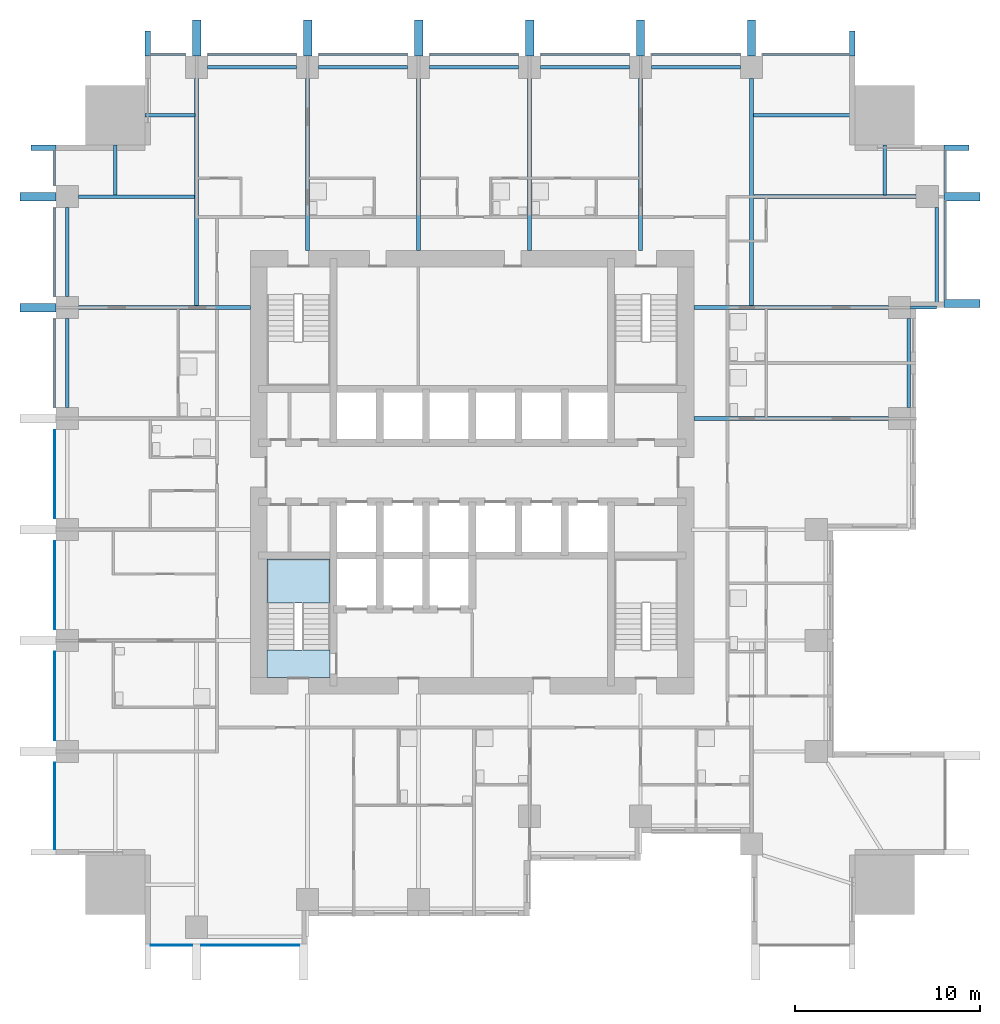
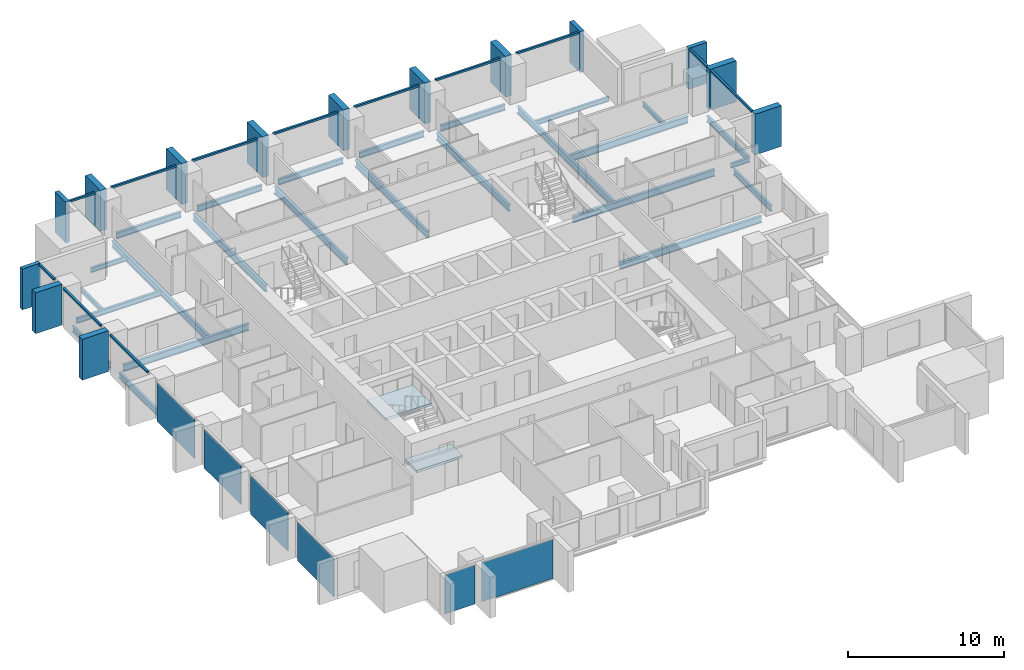
# One storey, part 2 of 10: 26 members, 25 beams, 6 plates, 2 slabs, 5 elements without a shape of their own.
"""IFC4 building model written with IfcOpenShell, lengths in metres."""

from ifc_helpers import new_model, si_unit, direction, frame, origin, origin_2d, place, context, subcontext, project, spatial, polyline, rectangle, i_section, outline, extrude, material, layer, layer_set, material_profile, profile_set, type_object, element, aggregate, save


model = new_model("IFC4")

# Units and contexts
model_context = context("Model", 3, precision=1e-05, world=origin(), true_north=direction((0.0, 1.0)))
body_context = subcontext(model_context, "Body", "Model", "MODEL_VIEW")
ifc_project = project(units=[si_unit("LENGTHUNIT", "METRE"), si_unit("AREAUNIT", "SQUARE_METRE"), si_unit("VOLUMEUNIT", "CUBIC_METRE"), si_unit("PLANEANGLEUNIT", "RADIAN"), si_unit("MASSUNIT", "GRAM", prefix="KILO")], contexts=[model_context])

# Site, building, storey
site_placement = place(None, origin())
site = spatial("IfcSite", under=ifc_project, at=site_placement, CompositionType="ELEMENT")
building_placement = place(site_placement, origin())
building = spatial("IfcBuilding", under=site, at=building_placement, Name="Amberfall Residences", CompositionType="ELEMENT")
storey_placement = place(building_placement, frame((0.0, 0.0, 66.39990234375)))
storey = spatial("IfcBuildingStorey", under=building, at=storey_placement, Name="L18", CompositionType="ELEMENT", Elevation=66.39990234375)

# Curtain wall, members
ifc_material_1 = material(Name="Bronze anodised aluminium and glass", Category="aluminium")
curtain_wall_type = type_object("IfcCurtainWallType", Name="Curtain wall CW1 tower unit", PredefinedType="USERDEFINED", material=ifc_material_1)
curtain_wall_1_placement = place(storey_placement, origin())
curtain_wall_1 = element("IfcCurtainWall", 1, at=curtain_wall_1_placement, inside=storey, type_object=curtain_wall_type, Name="Curtain wall L18 E E9", ObjectType="UNITISED CURTAIN WALL", PredefinedType="USERDEFINED")
ifc_material_2 = material(Name="Bronze anodised aluminium", Category="aluminium")
ifc_material_profile_1 = material_profile(ifc_material_2, rectangle(XDim=0.14990234375, YDim=0.14990234375, at=origin_2d()), Name="CW1 transom 150 x 150 bronze")
ifc_profile_set_1 = profile_set([ifc_material_profile_1], Name="Bronze anodised aluminium")
member_type_1 = type_object("IfcMemberType", Name="CW1 transom 150 x 150 bronze", PredefinedType="USERDEFINED", material=ifc_profile_set_1)
member_1_placement = place(storey_placement, frame((100.074951171875, 54.85009765625, 2.875), z_axis=(0.0, 1.0, 0.0), x_axis=(-1.0, 0.0, 0.0)))
member_1 = element("IfcMember", 2, at=member_1_placement, type_object=member_type_1, Name="CW1 transom 1.1", ObjectType="TRANSOM", PredefinedType="USERDEFINED", context=body_context, shape_type="SweptSolid", body=[
    extrude(rectangle(XDim=0.14990234375, YDim=0.14990234375, at=origin_2d()), origin(), (0.0, 0.0, 1.0), 5.324951171875),
])
member_2_placement = place(storey_placement, frame((100.074951171875, 60.625, 2.875), z_axis=(0.0, 1.0, 0.0), x_axis=(-1.0, 0.0, 0.0)))
member_2 = element("IfcMember", 3, at=member_2_placement, type_object=member_type_1, Name="CW1 transom 2.1", ObjectType="TRANSOM", PredefinedType="USERDEFINED", context=body_context, shape_type="SweptSolid", body=[
    extrude(rectangle(XDim=0.14990234375, YDim=0.14990234375, at=origin_2d()), origin(), (0.0, 0.0, 1.0), 2.27490234375),
])

curtain_wall_2_placement = place(storey_placement, origin())
curtain_wall_2 = element("IfcCurtainWall", 4, at=curtain_wall_2_placement, inside=storey, type_object=curtain_wall_type, Name="Curtain wall L18 N N1", ObjectType="UNITISED CURTAIN WALL", PredefinedType="USERDEFINED")
member_3_placement = place(storey_placement, frame((94.89990234375, 68.074951171875, 2.875), z_axis=(-1.0, 0.0, 0.0), x_axis=(0.0, -1.0, 0.0)))
member_3 = element("IfcMember", 5, at=member_3_placement, type_object=member_type_1, Name="CW1 transom 1.1", ObjectType="TRANSOM", PredefinedType="USERDEFINED", context=body_context, shape_type="SweptSolid", body=[
    extrude(rectangle(XDim=0.14990234375, YDim=0.14990234375, at=origin_2d()), origin(), (0.0, 0.0, 1.0), 4.69482421875),
])
member_4_placement = place(storey_placement, frame((88.9951171875, 68.074951171875, 2.875), z_axis=(-1.0, 0.0, 0.0), x_axis=(0.0, -1.0, 0.0)))
member_4 = element("IfcMember", 6, at=member_4_placement, type_object=member_type_1, Name="CW1 transom 2.1", ObjectType="TRANSOM", PredefinedType="USERDEFINED", context=body_context, shape_type="SweptSolid", body=[
    extrude(rectangle(XDim=0.14990234375, YDim=0.14990234375, at=origin_2d()), origin(), (0.0, 0.0, 1.0), 4.7900390625),
])
member_5_placement = place(storey_placement, frame((82.9951171875, 68.074951171875, 2.875), z_axis=(-1.0, 0.0, 0.0), x_axis=(0.0, -1.0, 0.0)))
member_5 = element("IfcMember", 7, at=member_5_placement, type_object=member_type_1, Name="CW1 transom 3.1", ObjectType="TRANSOM", PredefinedType="USERDEFINED", context=body_context, shape_type="SweptSolid", body=[
    extrude(rectangle(XDim=0.14990234375, YDim=0.14990234375, at=origin_2d()), origin(), (0.0, 0.0, 1.0), 4.7900390625),
])
member_6_placement = place(storey_placement, frame((76.9951171875, 68.074951171875, 2.875), z_axis=(-1.0, 0.0, 0.0), x_axis=(0.0, -1.0, 0.0)))
member_6 = element("IfcMember", 8, at=member_6_placement, type_object=member_type_1, Name="CW1 transom 4.1", ObjectType="TRANSOM", PredefinedType="USERDEFINED", context=body_context, shape_type="SweptSolid", body=[
    extrude(rectangle(XDim=0.14990234375, YDim=0.14990234375, at=origin_2d()), origin(), (0.0, 0.0, 1.0), 4.7900390625),
])
member_7_placement = place(storey_placement, frame((70.9951171875, 68.074951171875, 2.875), z_axis=(-1.0, 0.0, 0.0), x_axis=(0.0, -1.0, 0.0)))
member_7 = element("IfcMember", 9, at=member_7_placement, type_object=member_type_1, Name="CW1 transom 5.1", ObjectType="TRANSOM", PredefinedType="USERDEFINED", context=body_context, shape_type="SweptSolid", body=[
    extrude(rectangle(XDim=0.14990234375, YDim=0.14990234375, at=origin_2d()), origin(), (0.0, 0.0, 1.0), 4.7900390625),
])
member_8_placement = place(storey_placement, frame((64.9951171875, 68.074951171875, 2.875), z_axis=(-1.0, 0.0, 0.0), x_axis=(0.0, -1.0, 0.0)))
member_8 = element("IfcMember", 10, at=member_8_placement, type_object=member_type_1, Name="CW1 transom 6.1", ObjectType="TRANSOM", PredefinedType="USERDEFINED", context=body_context, shape_type="SweptSolid", body=[
    extrude(rectangle(XDim=0.14990234375, YDim=0.14990234375, at=origin_2d()), origin(), (0.0, 0.0, 1.0), 4.7900390625),
])
member_9_placement = place(storey_placement, frame((58.9951171875, 68.074951171875, 2.875), z_axis=(-1.0, 0.0, 0.0), x_axis=(0.0, -1.0, 0.0)))
member_9 = element("IfcMember", 11, at=member_9_placement, type_object=member_type_1, Name="CW1 transom 7.1", ObjectType="TRANSOM", PredefinedType="USERDEFINED", context=body_context, shape_type="SweptSolid", body=[
    extrude(rectangle(XDim=0.14990234375, YDim=0.14990234375, at=origin_2d()), origin(), (0.0, 0.0, 1.0), 1.89501953125),
])

curtain_wall_3_placement = place(storey_placement, origin())
curtain_wall_3 = element("IfcCurtainWall", 12, at=curtain_wall_3_placement, inside=storey, type_object=curtain_wall_type, Name="Curtain wall L18 W W1", ObjectType="UNITISED CURTAIN WALL", PredefinedType="USERDEFINED")
member_10_placement = place(storey_placement, frame((51.925048828125, 62.89990234375, 2.875), z_axis=(0.0, -1.0, 0.0), x_axis=(1.0, 0.0, 0.0)))
member_10 = element("IfcMember", 13, at=member_10_placement, type_object=member_type_1, Name="CW1 transom 1.1", ObjectType="TRANSOM", PredefinedType="USERDEFINED", context=body_context, shape_type="SweptSolid", body=[
    extrude(rectangle(XDim=0.14990234375, YDim=0.14990234375, at=origin_2d()), origin(), (0.0, 0.0, 1.0), 1.89501953125),
])
member_11_placement = place(storey_placement, frame((51.925048828125, 59.794921875, 2.875), z_axis=(0.0, -1.0, 0.0), x_axis=(1.0, 0.0, 0.0)))
member_11 = element("IfcMember", 14, at=member_11_placement, type_object=member_type_1, Name="CW1 transom 2.1", ObjectType="TRANSOM", PredefinedType="USERDEFINED", context=body_context, shape_type="SweptSolid", body=[
    extrude(rectangle(XDim=0.14990234375, YDim=0.14990234375, at=origin_2d()), origin(), (0.0, 0.0, 1.0), 4.7900390625),
])
member_12_placement = place(storey_placement, frame((51.925048828125, 53.794921875, 2.875), z_axis=(0.0, -1.0, 0.0), x_axis=(1.0, 0.0, 0.0)))
member_12 = element("IfcMember", 15, at=member_12_placement, type_object=member_type_1, Name="CW1 transom 3.1", ObjectType="TRANSOM", PredefinedType="USERDEFINED", context=body_context, shape_type="SweptSolid", body=[
    extrude(rectangle(XDim=0.14990234375, YDim=0.14990234375, at=origin_2d()), origin(), (0.0, 0.0, 1.0), 4.7900390625),
])

# Beam
ifc_material_3 = material(Name="Steel S355", Category="steel")
ifc_material_profile_2 = material_profile(ifc_material_3, i_section(OverallWidth=0.171142578125, OverallDepth=0.351318359375, WebThickness=0.007080078125, FlangeThickness=0.009765625, FilletRadius=0.01025390625, at=origin_2d()), Name="UB 356x171x45")
ifc_profile_set_2 = profile_set([ifc_material_profile_2], Name="Steel S355")
beam_type_1 = type_object("IfcBeamType", Name="Cantilever girder UB 356x171x45", PredefinedType="BEAM", material=ifc_profile_set_2)
beam_1_placement = place(storey_placement, frame((98.199951171875, 54.39990234375, -0.425537109375), z_axis=(1.0, 0.0, 0.0), x_axis=(0.0, 1.0, 0.0)))
element("IfcBeam", 16, at=beam_1_placement, inside=storey, type_object=beam_type_1, Name="Cantilever girder B8 L18 21", PredefinedType="BEAM", context=body_context, shape_type="SweptSolid", body=[
    extrude(i_section(OverallWidth=0.171142578125, OverallDepth=0.351318359375, WebThickness=0.007080078125, FlangeThickness=0.009765625, FilletRadius=0.01025390625, at=origin_2d()), origin(), (0.0, 0.0, 1.0), 1.400146484375),
])

# Member
ifc_material_profile_3 = material_profile(ifc_material_2, rectangle(XDim=1.35009765625, YDim=0.300048828125, at=origin_2d()), Name="Corner fin 300 x 1350 bronze")
ifc_profile_set_3 = profile_set([ifc_material_profile_3], Name="Bronze anodised aluminium")
member_type_2 = type_object("IfcMemberType", Name="Corner fin 300 x 1350 bronze", PredefinedType="MULLION", material=ifc_profile_set_3)
member_13_placement = place(storey_placement, frame((100.675048828125, 63.050048828125, -0.25), z_axis=(0.0, 0.0, 1.0), x_axis=(-1.0, 0.0, 0.0)))
member_13 = element("IfcMember", 17, at=member_13_placement, type_object=member_type_2, Name="CW FIN 3", PredefinedType="MULLION", context=body_context, shape_type="SweptSolid", body=[
    extrude(rectangle(XDim=1.35009765625, YDim=0.300048828125, at=origin_2d()), origin(), (0.0, 0.0, 1.0), 3.2001953125),
])

member_14_placement = place(storey_placement, frame((95.050048828125, 68.675048828125, -0.25), z_axis=(0.0, 0.0, 1.0), x_axis=(0.0, -1.0, 0.0)))
member_14 = element("IfcMember", 18, at=member_14_placement, type_object=member_type_2, Name="CW FIN 1", PredefinedType="MULLION", context=body_context, shape_type="SweptSolid", body=[
    extrude(rectangle(XDim=1.35009765625, YDim=0.300048828125, at=origin_2d()), origin(), (0.0, 0.0, 1.0), 3.2001953125),
])

member_15_placement = place(storey_placement, frame((56.949951171875, 68.675048828125, -0.25), z_axis=(0.0, 0.0, 1.0), x_axis=(0.0, -1.0, 0.0)))
member_15 = element("IfcMember", 19, at=member_15_placement, type_object=member_type_2, Name="CW FIN 8", PredefinedType="MULLION", context=body_context, shape_type="SweptSolid", body=[
    extrude(rectangle(XDim=1.35009765625, YDim=0.300048828125, at=origin_2d()), origin(), (0.0, 0.0, 1.0), 3.2001953125),
])

member_16_placement = place(storey_placement, frame((51.324951171875, 63.050048828125, -0.25), z_axis=(0.0, 0.0, 1.0), x_axis=(1.0, 0.0, 0.0)))
member_16 = element("IfcMember", 20, at=member_16_placement, type_object=member_type_2, Name="CW FIN 1", PredefinedType="MULLION", context=body_context, shape_type="SweptSolid", body=[
    extrude(rectangle(XDim=1.35009765625, YDim=0.300048828125, at=origin_2d()), origin(), (0.0, 0.0, 1.0), 3.2001953125),
])

# Beams
ifc_material_profile_4 = material_profile(ifc_material_3, i_section(OverallWidth=0.18994140625, OverallDepth=0.453369140625, WebThickness=0.008544921875, FlangeThickness=0.0126953125, FilletRadius=0.01025390625, at=origin_2d()), Name="UB 457x191x67")
ifc_profile_set_4 = profile_set([ifc_material_profile_4], Name="Steel S355")
beam_type_2 = type_object("IfcBeamType", Name="Edge beam UB 457x191x67", PredefinedType="SPANDREL", material=ifc_profile_set_4)
beam_2_placement = place(storey_placement, frame((98.10009765625, 49.0, -0.4765625), z_axis=(0.0, 1.0, 0.0), x_axis=(-1.0, 0.0, 0.0)))
element("IfcBeam", 21, at=beam_2_placement, inside=storey, type_object=beam_type_2, Name="Edge beam B1 L18 18", PredefinedType="SPANDREL", context=body_context, shape_type="SweptSolid", body=[
    extrude(i_section(OverallWidth=0.18994140625, OverallDepth=0.453369140625, WebThickness=0.008544921875, FlangeThickness=0.0126953125, FilletRadius=0.01025390625, at=origin_2d()), origin(), (0.0, 0.0, 1.0), 4.800048828125),
])
beam_3_placement = place(storey_placement, frame((99.60009765625, 54.47998046875, -0.4765625), z_axis=(0.0, 1.0, 0.0), x_axis=(-1.0, 0.0, 0.0)))
element("IfcBeam", 22, at=beam_3_placement, inside=storey, type_object=beam_type_2, Name="Edge beam B1 L18 19", PredefinedType="SPANDREL", context=body_context, shape_type="SweptSolid", body=[
    extrude(i_section(OverallWidth=0.18994140625, OverallDepth=0.453369140625, WebThickness=0.008544921875, FlangeThickness=0.0126953125, FilletRadius=0.01025390625, at=origin_2d()), origin(), (0.0, 0.0, 1.0), 5.320068359375),
])
for number, where, z_axis, x_axis, name in (
    (23, (60.199951171875, 67.39990234375, -0.4765625), (1.0, 0.0, 0.0), (0.0, 1.0, 0.0), "Edge beam B1 L18 28"),
    (24, (66.199951171875, 67.39990234375, -0.4765625), (1.0, 0.0, 0.0), (0.0, 1.0, 0.0), "Edge beam B1 L18 29"),
    (25, (72.199951171875, 67.39990234375, -0.4765625), (1.0, 0.0, 0.0), (0.0, 1.0, 0.0), "Edge beam B1 L18 30"),
    (26, (78.199951171875, 67.39990234375, -0.4765625), (1.0, 0.0, 0.0), (0.0, 1.0, 0.0), "Edge beam B1 L18 31"),
    (27, (84.199951171875, 67.39990234375, -0.4765625), (1.0, 0.0, 0.0), (0.0, 1.0, 0.0), "Edge beam B1 L18 32"),
    (28, (52.60009765625, 49.0, -0.4765625), (0.0, 1.0, 0.0), (-1.0, 0.0, 0.0), "Edge beam B1 L18 42"),
    (29, (52.60009765625, 55.0, -0.4765625), (0.0, 1.0, 0.0), (-1.0, 0.0, 0.0), "Edge beam B1 L18 43"),
):
    element("IfcBeam", number, at=place(storey_placement, frame(where, z_axis=z_axis, x_axis=x_axis)), inside=storey, type_object=beam_type_2, Name=name, PredefinedType="SPANDREL", context=body_context, shape_type="SweptSolid", body=[
        extrude(i_section(OverallWidth=0.18994140625, OverallDepth=0.453369140625, WebThickness=0.008544921875, FlangeThickness=0.0126953125, FilletRadius=0.01025390625, at=origin_2d()), origin(), (0.0, 0.0, 1.0), 4.800048828125),
    ])

# Member
ifc_material_profile_5 = material_profile(ifc_material_2, rectangle(XDim=1.949951171875, YDim=0.449951171875, at=origin_2d()), Name="Fin 450 x 1950 bronze")
ifc_profile_set_5 = profile_set([ifc_material_profile_5], Name="Bronze anodised aluminium")
member_type_3 = type_object("IfcMemberType", Name="Fin 450 x 1950 bronze", PredefinedType="MULLION", material=ifc_profile_set_5)
member_17_placement = place(storey_placement, frame((100.97509765625, 54.625, -0.25), z_axis=(0.0, 0.0, 1.0), x_axis=(-1.0, 0.0, 0.0)))
member_17 = element("IfcMember", 30, at=member_17_placement, type_object=member_type_3, Name="CW FIN 1", PredefinedType="MULLION", context=body_context, shape_type="SweptSolid", body=[
    extrude(rectangle(XDim=1.949951171875, YDim=0.449951171875, at=origin_2d()), origin(), (0.0, 0.0, 1.0), 3.2001953125),
])

member_18_placement = place(storey_placement, frame((100.97509765625, 60.39990234375, -0.25), z_axis=(0.0, 0.0, 1.0), x_axis=(-1.0, 0.0, 0.0)))
member_18 = element("IfcMember", 31, at=member_18_placement, type_object=member_type_3, Name="CW FIN 2", PredefinedType="MULLION", context=body_context, shape_type="SweptSolid", body=[
    extrude(rectangle(XDim=1.949951171875, YDim=0.449951171875, at=origin_2d()), origin(), (0.0, 0.0, 1.0), 3.2001953125),
])

aggregate(curtain_wall_1, [member_17, member_18, member_13, member_1, member_2])

member_19_placement = place(storey_placement, frame((89.60009765625, 68.97509765625, -0.25), z_axis=(0.0, 0.0, 1.0), x_axis=(0.0, -1.0, 0.0)))
member_19 = element("IfcMember", 32, at=member_19_placement, type_object=member_type_3, Name="CW FIN 2", PredefinedType="MULLION", context=body_context, shape_type="SweptSolid", body=[
    extrude(rectangle(XDim=1.949951171875, YDim=0.449951171875, at=origin_2d()), origin(), (0.0, 0.0, 1.0), 3.2001953125),
])

member_20_placement = place(storey_placement, frame((83.60009765625, 68.97509765625, -0.25), z_axis=(0.0, 0.0, 1.0), x_axis=(0.0, -1.0, 0.0)))
member_20 = element("IfcMember", 33, at=member_20_placement, type_object=member_type_3, Name="CW FIN 3", PredefinedType="MULLION", context=body_context, shape_type="SweptSolid", body=[
    extrude(rectangle(XDim=1.949951171875, YDim=0.449951171875, at=origin_2d()), origin(), (0.0, 0.0, 1.0), 3.2001953125),
])

member_21_placement = place(storey_placement, frame((77.60009765625, 68.97509765625, -0.25), z_axis=(0.0, 0.0, 1.0), x_axis=(0.0, -1.0, 0.0)))
member_21 = element("IfcMember", 34, at=member_21_placement, type_object=member_type_3, Name="CW FIN 4", PredefinedType="MULLION", context=body_context, shape_type="SweptSolid", body=[
    extrude(rectangle(XDim=1.949951171875, YDim=0.449951171875, at=origin_2d()), origin(), (0.0, 0.0, 1.0), 3.2001953125),
])

member_22_placement = place(storey_placement, frame((71.60009765625, 68.97509765625, -0.25), z_axis=(0.0, 0.0, 1.0), x_axis=(0.0, -1.0, 0.0)))
member_22 = element("IfcMember", 35, at=member_22_placement, type_object=member_type_3, Name="CW FIN 5", PredefinedType="MULLION", context=body_context, shape_type="SweptSolid", body=[
    extrude(rectangle(XDim=1.949951171875, YDim=0.449951171875, at=origin_2d()), origin(), (0.0, 0.0, 1.0), 3.2001953125),
])

member_23_placement = place(storey_placement, frame((65.60009765625, 68.97509765625, -0.25), z_axis=(0.0, 0.0, 1.0), x_axis=(0.0, -1.0, 0.0)))
member_23 = element("IfcMember", 36, at=member_23_placement, type_object=member_type_3, Name="CW FIN 6", PredefinedType="MULLION", context=body_context, shape_type="SweptSolid", body=[
    extrude(rectangle(XDim=1.949951171875, YDim=0.449951171875, at=origin_2d()), origin(), (0.0, 0.0, 1.0), 3.2001953125),
])

member_24_placement = place(storey_placement, frame((59.60009765625, 68.97509765625, -0.25), z_axis=(0.0, 0.0, 1.0), x_axis=(0.0, -1.0, 0.0)))
member_24 = element("IfcMember", 37, at=member_24_placement, type_object=member_type_3, Name="CW FIN 7", PredefinedType="MULLION", context=body_context, shape_type="SweptSolid", body=[
    extrude(rectangle(XDim=1.949951171875, YDim=0.449951171875, at=origin_2d()), origin(), (0.0, 0.0, 1.0), 3.2001953125),
])

aggregate(curtain_wall_2, [member_14, member_19, member_20, member_21, member_22, member_23, member_24, member_15, member_3, member_4, member_5, member_6, member_7, member_8, member_9])

member_25_placement = place(storey_placement, frame((51.02490234375, 60.39990234375, -0.25), z_axis=(0.0, 0.0, 1.0), x_axis=(1.0, 0.0, 0.0)))
member_25 = element("IfcMember", 38, at=member_25_placement, type_object=member_type_3, Name="CW FIN 2", PredefinedType="MULLION", context=body_context, shape_type="SweptSolid", body=[
    extrude(rectangle(XDim=1.949951171875, YDim=0.449951171875, at=origin_2d()), origin(), (0.0, 0.0, 1.0), 3.2001953125),
])

member_26_placement = place(storey_placement, frame((51.02490234375, 54.39990234375, -0.25), z_axis=(0.0, 0.0, 1.0), x_axis=(1.0, 0.0, 0.0)))
member_26 = element("IfcMember", 39, at=member_26_placement, type_object=member_type_3, Name="CW FIN 3", PredefinedType="MULLION", context=body_context, shape_type="SweptSolid", body=[
    extrude(rectangle(XDim=1.949951171875, YDim=0.449951171875, at=origin_2d()), origin(), (0.0, 0.0, 1.0), 3.2001953125),
])

# Beams
ifc_material_profile_6 = material_profile(ifc_material_3, i_section(OverallWidth=0.177734375, OverallDepth=0.402587890625, WebThickness=0.0078125, FlangeThickness=0.010986328125, FilletRadius=0.01025390625, at=origin_2d()), Name="UB 406x178x54")
ifc_profile_set_6 = profile_set([ifc_material_profile_6], Name="Steel S355")
beam_type_3 = type_object("IfcBeamType", Name="Floor girder UB 406x178x54", PredefinedType="BEAM", material=ifc_profile_set_6)
beam_4_placement = place(storey_placement, frame((53.199951171875, 60.39990234375, -0.451171875), z_axis=(1.0, 0.0, 0.0), x_axis=(0.0, 1.0, 0.0)))
element("IfcBeam", 40, at=beam_4_placement, inside=storey, type_object=beam_type_3, Name="Floor girder B4 L18 49", PredefinedType="BEAM", context=body_context, shape_type="SweptSolid", body=[
    extrude(i_section(OverallWidth=0.177734375, OverallDepth=0.402587890625, WebThickness=0.0078125, FlangeThickness=0.010986328125, FilletRadius=0.01025390625, at=origin_2d()), origin(), (0.0, 0.0, 1.0), 6.280029296875),
])
ifc_material_profile_7 = material_profile(ifc_material_3, i_section(OverallWidth=0.210693359375, OverallDepth=0.53955078125, WebThickness=0.01171875, FlangeThickness=0.018798828125, FilletRadius=0.0126953125, at=origin_2d()), Name="UB 533x210x109")
ifc_profile_set_7 = profile_set([ifc_material_profile_7], Name="Steel S355")
beam_type_4 = type_object("IfcBeamType", Name="Floor girder UB 533x210x109", PredefinedType="BEAM", material=ifc_profile_set_7)
for number, where, z_axis, x_axis, name in (
    (41, (59.60009765625, 66.800048828125, -0.51953125), (0.0, -1.0, 0.0), (1.0, 0.0, 0.0), "Floor girder B2 L18 33"),
    (42, (89.60009765625, 66.800048828125, -0.51953125), (0.0, -1.0, 0.0), (1.0, 0.0, 0.0), "Floor girder B2 L18 38"),
):
    element("IfcBeam", number, at=place(storey_placement, frame(where, z_axis=z_axis, x_axis=x_axis)), inside=storey, type_object=beam_type_4, Name=name, PredefinedType="BEAM", context=body_context, shape_type="SweptSolid", body=[
        extrude(i_section(OverallWidth=0.210693359375, OverallDepth=0.53955078125, WebThickness=0.01171875, FlangeThickness=0.018798828125, FilletRadius=0.0126953125, at=origin_2d()), origin(), (0.0, 0.0, 1.0), 12.300537109375),
    ])
ifc_material_profile_8 = material_profile(ifc_material_3, i_section(OverallWidth=0.209228515625, OverallDepth=0.533203125, WebThickness=0.010009765625, FlangeThickness=0.015625, FilletRadius=0.0126953125, at=origin_2d()), Name="UB 533x210x92")
ifc_profile_set_8 = profile_set([ifc_material_profile_8], Name="Steel S355")
beam_type_5 = type_object("IfcBeamType", Name="Floor girder UB 533x210x92", PredefinedType="BEAM", material=ifc_profile_set_8)
for number, where, z_axis, x_axis, name in (
    (43, (97.0, 48.39990234375, -0.516357421875), (-1.0, 0.0, 0.0), (0.0, -1.0, 0.0), "Floor girder B3 L18 25"),
    (44, (97.0, 54.39990234375, -0.516357421875), (-1.0, 0.0, 0.0), (0.0, -1.0, 0.0), "Floor girder B3 L18 26"),
):
    element("IfcBeam", number, at=place(storey_placement, frame(where, z_axis=z_axis, x_axis=x_axis)), inside=storey, type_object=beam_type_5, Name=name, PredefinedType="BEAM", context=body_context, shape_type="SweptSolid", body=[
        extrude(i_section(OverallWidth=0.209228515625, OverallDepth=0.533203125, WebThickness=0.010009765625, FlangeThickness=0.015625, FilletRadius=0.0126953125, at=origin_2d()), origin(), (0.0, 0.0, 1.0), 10.5),
    ])
beam_5_placement = place(storey_placement, frame((98.5, 60.39990234375, -0.516357421875), z_axis=(-1.0, 0.0, 0.0), x_axis=(0.0, -1.0, 0.0)))
element("IfcBeam", 45, at=beam_5_placement, inside=storey, type_object=beam_type_5, Name="Floor girder B3 L18 27", PredefinedType="BEAM", context=body_context, shape_type="SweptSolid", body=[
    extrude(i_section(OverallWidth=0.209228515625, OverallDepth=0.533203125, WebThickness=0.010009765625, FlangeThickness=0.015625, FilletRadius=0.0126953125, at=origin_2d()), origin(), (0.0, 0.0, 1.0), 8.780029296875),
])
for number, where, z_axis, x_axis, name in (
    (46, (65.60009765625, 66.800048828125, -0.516357421875), (0.0, -1.0, 0.0), (1.0, 0.0, 0.0), "Floor girder B3 L18 34"),
    (47, (71.60009765625, 66.800048828125, -0.516357421875), (0.0, -1.0, 0.0), (1.0, 0.0, 0.0), "Floor girder B3 L18 35"),
    (48, (77.60009765625, 66.800048828125, -0.516357421875), (0.0, -1.0, 0.0), (1.0, 0.0, 0.0), "Floor girder B3 L18 36"),
    (49, (83.60009765625, 66.800048828125, -0.516357421875), (0.0, -1.0, 0.0), (1.0, 0.0, 0.0), "Floor girder B3 L18 37"),
    (50, (53.199951171875, 54.39990234375, -0.516357421875), (1.0, 0.0, 0.0), (0.0, 1.0, 0.0), "Floor girder B3 L18 48"),
):
    element("IfcBeam", number, at=place(storey_placement, frame(where, z_axis=z_axis, x_axis=x_axis)), inside=storey, type_object=beam_type_5, Name=name, PredefinedType="BEAM", context=body_context, shape_type="SweptSolid", body=[
        extrude(i_section(OverallWidth=0.209228515625, OverallDepth=0.533203125, WebThickness=0.010009765625, FlangeThickness=0.015625, FilletRadius=0.0126953125, at=origin_2d()), origin(), (0.0, 0.0, 1.0), 9.300048828125),
    ])
ifc_material_profile_9 = material_profile(ifc_material_3, i_section(OverallWidth=0.171142578125, OverallDepth=0.351318359375, WebThickness=0.007080078125, FlangeThickness=0.009765625, FilletRadius=0.01025390625, at=origin_2d()), Name="UB 356x171x45")
ifc_profile_set_9 = profile_set([ifc_material_profile_9], Name="Steel S355")
beam_type_6 = type_object("IfcBeamType", Name="Link beam UB 356x171x45", PredefinedType="BEAM", material=ifc_profile_set_9)
beam_6_placement = place(storey_placement, frame((95.199951171875, 64.800048828125, -0.425537109375), z_axis=(-1.0, 0.0, 0.0), x_axis=(0.0, -1.0, 0.0)))
element("IfcBeam", 51, at=beam_6_placement, inside=storey, type_object=beam_type_6, Name="Link beam B7 L18 54", PredefinedType="BEAM", context=body_context, shape_type="SweptSolid", body=[
    extrude(i_section(OverallWidth=0.171142578125, OverallDepth=0.351318359375, WebThickness=0.007080078125, FlangeThickness=0.009765625, FilletRadius=0.01025390625, at=origin_2d()), origin(), (0.0, 0.0, 1.0), 5.504638671875),
])
beam_7_placement = place(storey_placement, frame((96.800048828125, 63.199951171875, -0.425537109375), z_axis=(0.0, -1.0, 0.0), x_axis=(1.0, 0.0, 0.0)))
element("IfcBeam", 52, at=beam_7_placement, inside=storey, type_object=beam_type_6, Name="Link beam B7 L18 55", PredefinedType="BEAM", context=body_context, shape_type="SweptSolid", body=[
    extrude(i_section(OverallWidth=0.171142578125, OverallDepth=0.351318359375, WebThickness=0.007080078125, FlangeThickness=0.009765625, FilletRadius=0.01025390625, at=origin_2d()), origin(), (0.0, 0.0, 1.0), 2.705322265625),
])
beam_8_placement = place(storey_placement, frame((56.800048828125, 64.800048828125, -0.425537109375), z_axis=(1.0, 0.0, 0.0), x_axis=(0.0, 1.0, 0.0)))
element("IfcBeam", 53, at=beam_8_placement, inside=storey, type_object=beam_type_6, Name="Link beam B7 L18 56", PredefinedType="BEAM", context=body_context, shape_type="SweptSolid", body=[
    extrude(i_section(OverallWidth=0.171142578125, OverallDepth=0.351318359375, WebThickness=0.007080078125, FlangeThickness=0.009765625, FilletRadius=0.01025390625, at=origin_2d()), origin(), (0.0, 0.0, 1.0), 2.70458984375),
])
beam_9_placement = place(storey_placement, frame((55.199951171875, 63.199951171875, -0.425537109375), z_axis=(0.0, -1.0, 0.0), x_axis=(1.0, 0.0, 0.0)))
element("IfcBeam", 54, at=beam_9_placement, inside=storey, type_object=beam_type_6, Name="Link beam B7 L18 57", PredefinedType="BEAM", context=body_context, shape_type="SweptSolid", body=[
    extrude(i_section(OverallWidth=0.171142578125, OverallDepth=0.351318359375, WebThickness=0.007080078125, FlangeThickness=0.009765625, FilletRadius=0.01025390625, at=origin_2d()), origin(), (0.0, 0.0, 1.0), 2.720947265625),
])

# Curtain wall, plates
curtain_wall_4_placement = place(storey_placement, origin())
curtain_wall_4 = element("IfcCurtainWall", 55, at=curtain_wall_4_placement, inside=storey, type_object=curtain_wall_type, Name="Curtain wall L18 S S1", ObjectType="UNITISED CURTAIN WALL", PredefinedType="USERDEFINED")
ifc_material_4 = material(Name="Tinted double glazed unit", Category="glass")
ifc_layer_1 = layer(ifc_material_4, 0.035888671875)
ifc_layer_set_1 = layer_set([ifc_layer_1], Name="CW1 panel 36 glazing")
plate_type = type_object("IfcPlateType", Name="CW1 panel 36 glazing", PredefinedType="CURTAIN_PANEL", material=ifc_layer_set_1)
plate_1_placement = place(storey_placement, frame((58.237548828125, 19.925048828125, -0.25), z_axis=(0.0, 0.0, 1.0), x_axis=(1.0, 0.0, 0.0)))
plate_1 = element("IfcPlate", 56, at=plate_1_placement, type_object=plate_type, Name="CW1 panel 1.1", PredefinedType="CURTAIN_PANEL", context=body_context, shape_type="SweptSolid", body=[
    extrude(rectangle(XDim=2.2509765625, YDim=0.035888671875, at=origin_2d()), origin(), (0.0, 0.0, 1.0), 3.050048828125),
])
plate_2_placement = place(storey_placement, frame((62.487548828125, 19.925048828125, -0.25), z_axis=(0.0, 0.0, 1.0), x_axis=(1.0, 0.0, 0.0)))
plate_2 = element("IfcPlate", 57, at=plate_2_placement, type_object=plate_type, Name="CW1 panel 2.1", PredefinedType="CURTAIN_PANEL", context=body_context, shape_type="SweptSolid", body=[
    extrude(rectangle(XDim=5.301025390625, YDim=0.035888671875, at=origin_2d()), origin(), (0.0, 0.0, 1.0), 3.050048828125),
])
aggregate(curtain_wall_4, [plate_1, plate_2])

# Plate
plate_3_placement = place(storey_placement, frame((51.925048828125, 45.39990234375, -0.25), z_axis=(0.0, 0.0, 1.0), x_axis=(0.0, -1.0, 0.0)))
plate_3 = element("IfcPlate", 58, at=plate_3_placement, type_object=plate_type, Name="CW1 panel 4.1", PredefinedType="CURTAIN_PANEL", context=body_context, shape_type="SweptSolid", body=[
    extrude(rectangle(XDim=4.76611328125, YDim=0.035888671875, at=origin_2d()), origin(), (0.0, 0.0, 1.0), 3.050048828125),
])

plate_4_placement = place(storey_placement, frame((51.925048828125, 39.39990234375, -0.25), z_axis=(0.0, 0.0, 1.0), x_axis=(0.0, -1.0, 0.0)))
plate_4 = element("IfcPlate", 59, at=plate_4_placement, type_object=plate_type, Name="CW1 panel 5.1", PredefinedType="CURTAIN_PANEL", context=body_context, shape_type="SweptSolid", body=[
    extrude(rectangle(XDim=4.76611328125, YDim=0.035888671875, at=origin_2d()), origin(), (0.0, 0.0, 1.0), 3.050048828125),
])

plate_5_placement = place(storey_placement, frame((51.925048828125, 33.39990234375, -0.25), z_axis=(0.0, 0.0, 1.0), x_axis=(0.0, -1.0, 0.0)))
plate_5 = element("IfcPlate", 60, at=plate_5_placement, type_object=plate_type, Name="CW1 panel 6.1", PredefinedType="CURTAIN_PANEL", context=body_context, shape_type="SweptSolid", body=[
    extrude(rectangle(XDim=4.76611328125, YDim=0.035888671875, at=origin_2d()), origin(), (0.0, 0.0, 1.0), 3.050048828125),
])

plate_6_placement = place(storey_placement, frame((51.925048828125, 27.447509765625, -0.25), z_axis=(0.0, 0.0, 1.0), x_axis=(0.0, -1.0, 0.0)))
plate_6 = element("IfcPlate", 61, at=plate_6_placement, type_object=plate_type, Name="CW1 panel 7.1", PredefinedType="CURTAIN_PANEL", context=body_context, shape_type="SweptSolid", body=[
    extrude(rectangle(XDim=4.6708984375, YDim=0.035888671875, at=origin_2d()), origin(), (0.0, 0.0, 1.0), 3.050048828125),
])

aggregate(curtain_wall_3, [member_16, member_25, member_26, member_10, member_11, member_12, plate_3, plate_4, plate_5, plate_6])

# Stair, slabs
ifc_material_5 = material(Name="Concrete C40", Category="concrete")
stair_type = type_object("IfcStairType", Name="Exit stair 20 risers 165.0 mm", PredefinedType="HALF_TURN_STAIR", material=ifc_material_5)
stair_placement = place(storey_placement, origin())
stair = element("IfcStair", 62, at=stair_placement, inside=storey, type_object=stair_type, Name="L18 Exit stair 1", PredefinedType="HALF_TURN_STAIR")
ifc_layer_2 = layer(ifc_material_5, 0.199951171875)
ifc_layer_set_2 = layer_set([ifc_layer_2], Name="Stair landing 200")
slab_type = type_object("IfcSlabType", Name="Stair landing 200", PredefinedType="LANDING", material=ifc_layer_set_2)
slab_1_placement = place(storey_placement, frame((0.0, 0.0, 1.4501953125)))
slab_1 = element("IfcSlab", 63, at=slab_1_placement, type_object=slab_type, Name="ST3 landing 1", PredefinedType="LANDING", context=body_context, shape_type="SweptSolid", body=[
    extrude(outline(polyline([(66.800048828125, 38.419921875), (66.800048828125, 40.800048828125), (63.39990234375, 40.800048828125), (63.39990234375, 38.419921875), (66.800048828125, 38.419921875)])), origin(), (0.0, 0.0, 1.0), 0.199951171875),
])
slab_2_placement = place(storey_placement, frame((0.0, 0.0, -0.199951171875)))
slab_2 = element("IfcSlab", 64, at=slab_2_placement, type_object=slab_type, Name="ST3 landing 2", PredefinedType="LANDING", context=body_context, shape_type="SweptSolid", body=[
    extrude(outline(polyline([(66.800048828125, 34.39990234375), (66.800048828125, 35.89990234375), (63.39990234375, 35.89990234375), (63.39990234375, 34.39990234375), (66.800048828125, 34.39990234375)])), origin(), (0.0, 0.0, 1.0), 0.199951171875),
])
aggregate(stair, [slab_1, slab_2])

save(model, "model.ifc")
